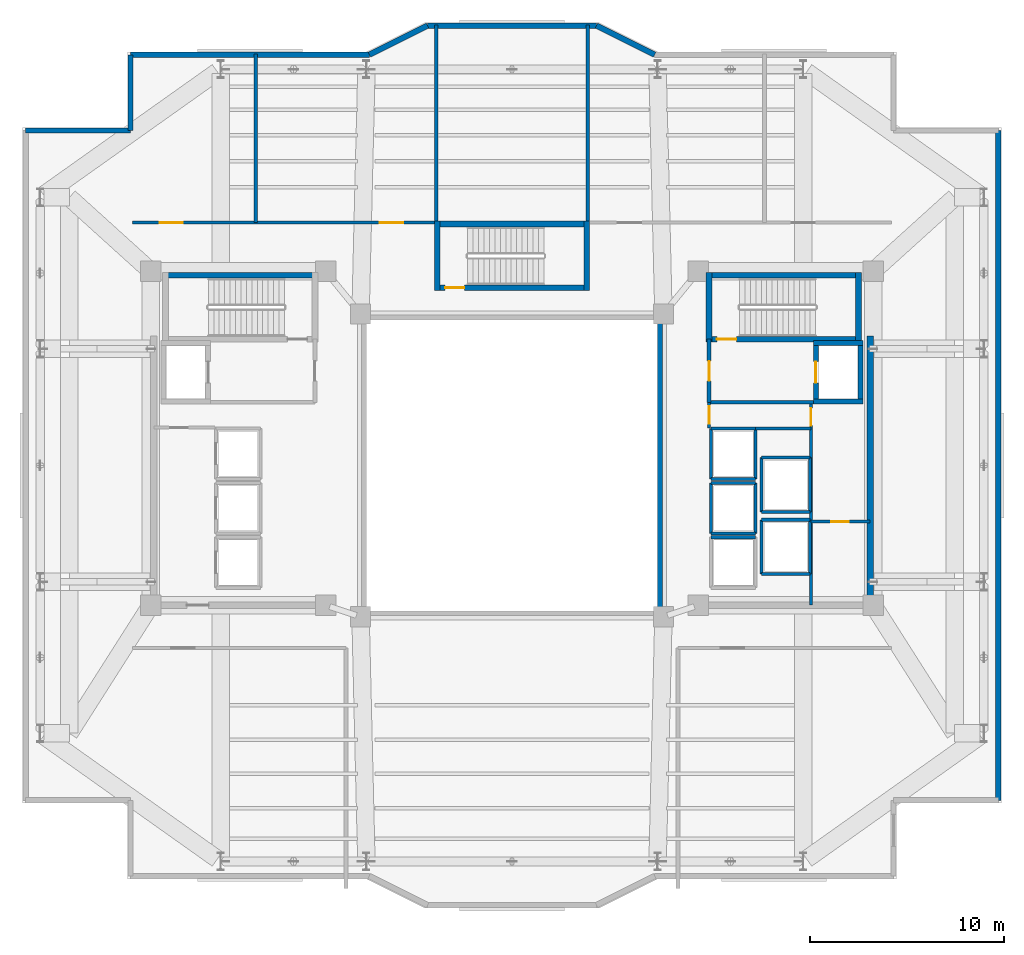
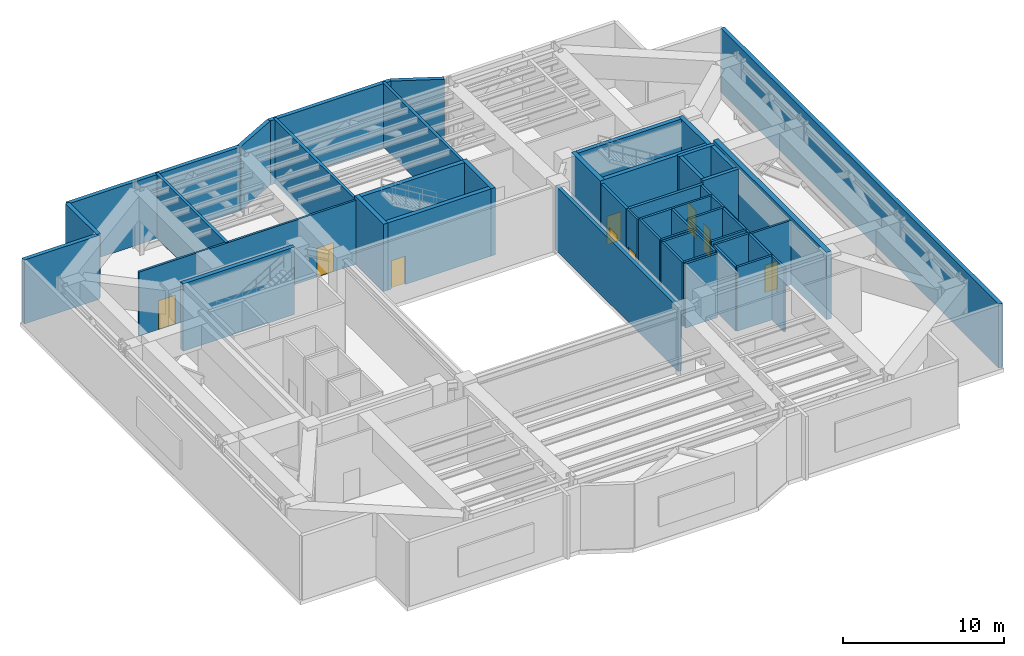
# One storey, part 9 of 13: 49 walls, 9 doors, 9 openings.
"""IFC4 building model written with IfcOpenShell, lengths in metres."""

import ifcopenshell
import ifcopenshell.guid

model = None  # the IFC model being written
_history = None  # IfcOwnerHistory: only IFC2X3 demands one
_inside = {}  # id of a spatial element -> (the spatial element, [elements in it])
_under = {}  # id of a project, library or spatial element -> (it, [spatial elements below it])
_declared = {}  # id of a project -> (the project, [libraries it declares])
_typed = {}  # id of a type object -> (the type object, [elements of that type])
_made_of = {}  # id of a material, layer set ... -> (it, [elements and type objects made of it])


def new_model(schema):
    """Start an empty IFC model of exactly this schema.

    Asked for "IFC4X3", IfcOpenShell would pick the latest addendum, in which some entities
    have other attributes; the version numbers below select the first issue.
    IFC2X3 requires an IfcOwnerHistory on every rooted entity: one is made here for all.
    """
    global model, _history
    if schema == "IFC4X3":
        model = ifcopenshell.file(schema_version=(4, 3, 0, 0))
    else:
        model = ifcopenshell.file(schema=schema)
    _inside.clear()
    _under.clear()
    _declared.clear()
    _typed.clear()
    _made_of.clear()
    _history = None
    if model.schema == "IFC2X3":
        org = make("IfcOrganization", Name="unknown")
        user = make(
            "IfcPersonAndOrganization",
            ThePerson=make("IfcPerson", FamilyName="unknown"),
            TheOrganization=org,
        )
        app = make(
            "IfcApplication",
            ApplicationDeveloper=org,
            Version="unknown",
            ApplicationFullName="unknown",
            ApplicationIdentifier="unknown",
        )
        _history = make(
            "IfcOwnerHistory",
            OwningUser=user,
            OwningApplication=app,
            ChangeAction="ADDED",
            CreationDate=0,
        )
    return model


def make(cls, **values):
    """One entity of the class cls with the attributes given. An attribute that is None is left unset."""
    return model.create_entity(
        cls, **{name: value for name, value in values.items() if value is not None}
    )


def rooted(cls, **values):
    """An entity with a GlobalId (a new one), such as an element, a storey or a relation."""
    return make(cls, GlobalId=ifcopenshell.guid.new(), OwnerHistory=_history, **values)


def si_unit(unit_type, name, prefix=None):
    """IfcSIUnit, for example si_unit("LENGTHUNIT", "METRE", prefix="MILLI")."""
    return make("IfcSIUnit", UnitType=unit_type, Prefix=prefix, Name=name)


def assignment(units):
    """IfcUnitAssignment: the units of a project."""
    return None if units is None else make("IfcUnitAssignment", Units=units)


def point(xyz):
    """IfcCartesianPoint."""
    return None if xyz is None else make("IfcCartesianPoint", Coordinates=xyz)


def direction(xyz):
    """IfcDirection."""
    return None if xyz is None else make("IfcDirection", DirectionRatios=xyz)


def frame(location, z_axis=None, x_axis=None):
    """IfcAxis2Placement3D, a coordinate frame: its origin and axes. An axis left out is left unset."""
    return make(
        "IfcAxis2Placement3D",
        Location=point(location),
        Axis=direction(z_axis),
        RefDirection=direction(x_axis),
    )


def frame_2d(location, x_axis=None):
    """IfcAxis2Placement2D, a coordinate frame in the plane: its origin and x axis."""
    return make(
        "IfcAxis2Placement2D", Location=point(location), RefDirection=direction(x_axis)
    )


def origin():
    """The frame at (0, 0, 0) with its axes left unset."""
    return frame((0.0, 0.0, 0.0))


def place(relative_to, where):
    """IfcLocalPlacement: puts the frame where relative to a parent placement (None: the world)."""
    return make(
        "IfcLocalPlacement", PlacementRelTo=relative_to, RelativePlacement=where
    )


def context(
    kind, dimensions, precision=None, world=None, true_north=None, identifier=None
):
    """IfcGeometricRepresentationContext, for example the 3D "Model" context."""
    return make(
        "IfcGeometricRepresentationContext",
        ContextIdentifier=identifier,
        ContextType=kind,
        CoordinateSpaceDimension=dimensions,
        Precision=precision,
        WorldCoordinateSystem=world,
        TrueNorth=true_north,
    )


def subcontext(parent, identifier, kind, view, scale=None):
    """IfcGeometricRepresentationSubContext, for example "Body" below "Model"."""
    return make(
        "IfcGeometricRepresentationSubContext",
        ContextIdentifier=identifier,
        ContextType=kind,
        ParentContext=parent,
        TargetScale=scale,
        TargetView=view,
    )


def project(units=None, contexts=None):
    """IfcProject with its units and contexts."""
    return rooted(
        "IfcProject",
        Name="project",
        RepresentationContexts=contexts,
        UnitsInContext=assignment(units),
    )


def spatial(cls, under=None, at=None, **own):
    """A site, building, storey or space (cls), placed at a placement, below another one or the project."""
    s = rooted(cls, ObjectPlacement=at, **own)
    if under is not None:
        _under.setdefault(under.id(), (under, []))[1].append(s)
    return s


def profile(cls, at=None, kind="AREA", **sizes):
    """A parametric profile (cls). Its sizes go by their IFC names, for example OverallWidth=200.0."""
    return make(cls, ProfileType=kind, Position=at, **sizes)


def rectangle(**sizes):
    """IfcRectangleProfileDef."""
    return profile("IfcRectangleProfileDef", **sizes)


def extrude(swept, where, along, depth):
    """IfcExtrudedAreaSolid: the profile swept, set in the frame where, extruded along a direction by depth."""
    return make(
        "IfcExtrudedAreaSolid",
        SweptArea=swept,
        Position=where,
        ExtrudedDirection=direction(along),
        Depth=depth,
    )


def shape(context_of_items, identifier, shape_type, items):
    """IfcShapeRepresentation: the items that make up one representation, for example the "Body"."""
    return make(
        "IfcShapeRepresentation",
        ContextOfItems=context_of_items,
        RepresentationIdentifier=identifier,
        RepresentationType=shape_type,
        Items=items,
    )


def material(Name=None, Category=None):
    """IfcMaterial."""
    return make("IfcMaterial", Name=Name, Category=Category)


def layer(
    of_material, thickness, ventilated=None, Name=None, Category=None, Priority=None
):
    """IfcMaterialLayer: one layer of a wall or slab, of a material (None: an air gap)."""
    return make(
        "IfcMaterialLayer",
        Material=of_material,
        LayerThickness=thickness,
        IsVentilated=ventilated,
        Name=Name,
        Category=Category,
        Priority=Priority,
    )


def layer_set(layers, Name=None):
    """IfcMaterialLayerSet."""
    return make("IfcMaterialLayerSet", MaterialLayers=layers, LayerSetName=Name)


def made_of(thing, what):
    """Note that an element or type object is made of a material, layer set ...; save() writes the relation."""
    if what is not None:
        _made_of.setdefault(what.id(), (what, []))[1].append(thing)
    return thing


def type_object(cls, material=None, **own):
    """A type object (cls), such as IfcWallType, which elements share."""
    return made_of(rooted(cls, **own), material)


def element(
    cls,
    number,
    at=None,
    inside=None,
    cuts=None,
    type_object=None,
    material=None,
    context=None,
    identifier="Body",
    shape_type=None,
    held_by="IfcProductDefinitionShape",
    body=None,
    shapes=None,
    **own,
):
    """One element of the class cls, such as IfcWall. Its Tag is "e" and its number.

    at: its placement. inside: the storey or other place that contains it. cuts: it is an
    opening in that element (IfcRelVoidsElement). A single representation is given by context,
    identifier, shape_type and body (its items); several are given by shapes. held_by: the class
    of the entity that holds the representations. save() writes the other relations.
    """
    e = rooted(cls, Tag="e%d" % number, ObjectPlacement=at, **own)
    if body is not None:
        shapes = [shape(context, identifier, shape_type, body)]
    if shapes is not None:
        e.Representation = make(held_by, Representations=shapes)
    if inside is not None:
        _inside.setdefault(inside.id(), (inside, []))[1].append(e)
    if cuts is not None:
        rooted(
            "IfcRelVoidsElement", RelatingBuildingElement=cuts, RelatedOpeningElement=e
        )
    if type_object is not None:
        _typed.setdefault(type_object.id(), (type_object, []))[1].append(e)
    return made_of(e, material)


def fill(opening, filler):
    """IfcRelFillsElement: the door or window that sits in an opening."""
    return rooted(
        "IfcRelFillsElement",
        RelatingOpeningElement=opening,
        RelatedBuildingElement=filler,
    )


def aggregate(whole, parts):
    """IfcRelAggregates: a whole, such as a stair, and the parts it consists of."""
    return rooted("IfcRelAggregates", RelatingObject=whole, RelatedObjects=parts)


def save(model, path):
    """Write the relations noted so far, then the file.

    IfcRelAggregates (storeys below a building ...), IfcRelContainedInSpatialStructure (elements
    in a storey), IfcRelDefinesByType, IfcRelAssociatesMaterial and IfcRelDeclares: one each for
    every whole, place, type object, material and project.
    """
    for whole, parts in _under.values():
        aggregate(whole, parts)
    for where, things in _inside.values():
        rooted(
            "IfcRelContainedInSpatialStructure",
            RelatedElements=things,
            RelatingStructure=where,
        )
    for kind, things in _typed.values():
        rooted("IfcRelDefinesByType", RelatedObjects=things, RelatingType=kind)
    for what, things in _made_of.values():
        rooted("IfcRelAssociatesMaterial", RelatedObjects=things, RelatingMaterial=what)
    for by, libraries in _declared.values():
        rooted("IfcRelDeclares", RelatingContext=by, RelatedDefinitions=libraries)
    model.write(path)


model = new_model("IFC4")

# Units and contexts
model_context = context("Model", 3, precision=1e-05, world=origin(), true_north=direction((0.0, 1.0)))
body_context = subcontext(model_context, "Body", "Model", "MODEL_VIEW")
ifc_project = project(units=[si_unit("LENGTHUNIT", "METRE"), si_unit("AREAUNIT", "SQUARE_METRE"), si_unit("VOLUMEUNIT", "CUBIC_METRE"), si_unit("PLANEANGLEUNIT", "RADIAN"), si_unit("MASSUNIT", "GRAM", prefix="KILO")], contexts=[model_context])

# Site, building, storey
site_placement = place(None, origin())
site = spatial("IfcSite", under=ifc_project, at=site_placement, CompositionType="ELEMENT")
building_placement = place(site_placement, origin())
building = spatial("IfcBuilding", under=site, at=building_placement, Name="Tarnavaz Court Tower", CompositionType="ELEMENT")
storey_placement = place(building_placement, frame((0.0, 0.0, 181.800048828125)))
storey = spatial("IfcBuildingStorey", under=building, at=storey_placement, Name="L49", CompositionType="ELEMENT", Elevation=181.800048828125)

# Wall, opening, door
ifc_material_1 = material(Name="Concrete C50/60", Category="concrete")
ifc_layer_1 = layer(ifc_material_1, 0.25)
ifc_layer_set_1 = layer_set([ifc_layer_1], Name="Concrete C50/60")
wall_type_1 = type_object("IfcWallType", Name="WL-CORE-250-C50", PredefinedType="SHEAR", material=ifc_layer_set_1)
wall_1_placement = place(storey_placement, frame((15.64990234375, 3.175048828125, 0.0), z_axis=(0.0, 0.0, 1.0), x_axis=(0.0, 1.0, 0.0)))
wall_1 = element("IfcWall", 1, at=wall_1_placement, inside=storey, type_object=wall_type_1, Name="L49 Lift FL-E1 Shaft Wall 033", PredefinedType="SHEAR", context=body_context, shape_type="SweptSolid", body=[
    extrude(rectangle(XDim=3.25, YDim=0.25, at=frame_2d((1.625, 0.0))), origin(), (0.0, 0.0, 1.0), 5.099853515625),
])
opening_1_placement = place(wall_1_placement, frame((1.074951171875, 0.0, 0.0)))
opening_1 = element("IfcOpeningElement", 2, at=opening_1_placement, cuts=wall_1, Name="Opening LD1", PredefinedType="OPENING", context=body_context, shape_type="SweptSolid", body=[
    extrude(rectangle(XDim=1.10009765625, YDim=2.14990234375, at=frame_2d((0.550048828125, 1.074951171875))), frame((0.0, 0.135009765625, 0.0), z_axis=(0.0, -1.0, 0.0), x_axis=(1.0, 0.0, 0.0)), (0.0, 0.0, 1.0), 0.27001953125),
])
ifc_material_2 = material(Name="Stainless Steel", Category="steel")
door_type_1 = type_object("IfcDoorType", Name="DR-LD-1100", OperationType="NOTDEFINED", PredefinedType="DOOR", material=ifc_material_2)
door_1_placement = place(opening_1_placement, origin())
door_1 = element("IfcDoor", 3, at=door_1_placement, inside=storey, type_object=door_type_1, Name="L49 Lift Landing Door LD-FL-E1", OperationType="SLIDING_TO_LEFT", OverallHeight=2.14990234375, OverallWidth=1.10009765625, PredefinedType="DOOR", context=body_context, shape_type="SweptSolid", body=[
    extrude(rectangle(XDim=1.10009765625, YDim=2.14990234375, at=frame_2d((0.550048828125, 1.074951171875))), frame((0.0, 0.02490234375, 0.0), z_axis=(0.0, -1.0, 0.0), x_axis=(1.0, 0.0, 0.0)), (0.0, 0.0, 1.0), 0.050048828125),
])
fill(opening_1, door_1)

# Walls
wall_2_placement = place(storey_placement, frame((17.949951171875, 3.175048828125, 0.0), z_axis=(0.0, 0.0, 1.0), x_axis=(0.0, 1.0, 0.0)))
element("IfcWall", 4, at=wall_2_placement, inside=storey, type_object=wall_type_1, Name="L49 Lift FL-E1 Shaft Wall 034", PredefinedType="SHEAR", context=body_context, shape_type="SweptSolid", body=[
    extrude(rectangle(XDim=3.25, YDim=0.25, at=frame_2d((1.625, 0.0))), origin(), (0.0, 0.0, 1.0), 5.099853515625),
])
for number, where, z_axis, x_axis, name in (
    (5, (15.52490234375, 3.300048828125, 0.0), (0.0, 0.0, 1.0), (1.0, 0.0, 0.0), "L49 Lift FL-E1 Shaft Wall 035"),
    (6, (15.52490234375, 6.300048828125, 0.0), (0.0, 0.0, 1.0), (1.0, 0.0, 0.0), "L49 Lift FL-E1 Shaft Wall 036"),
):
    element("IfcWall", number, at=place(storey_placement, frame(where, z_axis=z_axis, x_axis=x_axis)), inside=storey, type_object=wall_type_1, Name=name, PredefinedType="SHEAR", context=body_context, shape_type="SweptSolid", body=[
        extrude(rectangle(XDim=2.550048828125, YDim=0.25, at=frame_2d((1.27490234375, 0.0))), origin(), (0.0, 0.0, 1.0), 5.099853515625),
    ])
ifc_layer_2 = layer(ifc_material_1, 0.300048828125)
ifc_layer_set_2 = layer_set([ifc_layer_2], Name="Concrete C50/60")
wall_type_2 = type_object("IfcWallType", Name="WL-CORE-300-C50", PredefinedType="SHEAR", material=ifc_layer_set_2)
for number, where, z_axis, x_axis, name in (
    (7, (-18.0, 9.7900390625, 0.0), (0.0, 0.0, 1.0), (1.0, 0.0, 0.0), "L49 West Stair Core Wall 001"),
    (8, (10.0, 9.7900390625, 0.0), (0.0, 0.0, 1.0), (1.0, 0.0, 0.0), "L49 East Stair Core Wall 005"),
):
    element("IfcWall", number, at=place(storey_placement, frame(where, z_axis=z_axis, x_axis=x_axis)), inside=storey, type_object=wall_type_2, Name=name, PredefinedType="SHEAR", context=body_context, shape_type="SweptSolid", body=[
        extrude(rectangle(XDim=8.0, YDim=0.300048828125, at=frame_2d((4.0, 0.0))), origin(), (0.0, 0.0, 1.0), 5.099853515625),
    ])

# Wall, opening, door
wall_3_placement = place(storey_placement, frame((10.0, 6.5, 0.0), z_axis=(0.0, 0.0, 1.0), x_axis=(1.0, 0.0, 0.0)))
wall_3 = element("IfcWall", 9, at=wall_3_placement, inside=storey, type_object=wall_type_2, Name="L49 East Stair Core Wall 006", PredefinedType="SHEAR", context=body_context, shape_type="SweptSolid", body=[
    extrude(rectangle(XDim=8.0, YDim=0.300048828125, at=frame_2d((4.0, 0.0))), origin(), (0.0, 0.0, 1.0), 5.099853515625),
])
opening_2_placement = place(wall_3_placement, frame((0.550048828125, 0.0, 0.0)))
opening_2 = element("IfcOpeningElement", 10, at=opening_2_placement, cuts=wall_3, Name="Opening D01", PredefinedType="OPENING", context=body_context, shape_type="SweptSolid", body=[
    extrude(rectangle(XDim=1.0, YDim=2.14990234375, at=frame_2d((0.5, 1.074951171875))), frame((0.0, 0.159912109375, 0.0), z_axis=(0.0, -1.0, 0.0), x_axis=(1.0, 0.0, 0.0)), (0.0, 0.0, 1.0), 0.320068359375),
])
ifc_material_3 = material(Name="Fire-Rated Hardwood Timber Core", Category="wood")
door_type_2 = type_object("IfcDoorType", Name="DR-FD90-1000", OperationType="NOTDEFINED", PredefinedType="DOOR", material=ifc_material_3)
door_2_placement = place(opening_2_placement, origin())
door_2 = element("IfcDoor", 11, at=door_2_placement, inside=storey, type_object=door_type_2, Name="L49 Stair ST-E1 Exit Door", OperationType="SINGLE_SWING_RIGHT", OverallHeight=2.14990234375, OverallWidth=1.0, PredefinedType="DOOR", context=body_context, shape_type="SweptSolid", body=[
    extrude(rectangle(XDim=1.0, YDim=2.14990234375, at=frame_2d((0.5, 1.074951171875))), frame((0.0, 0.02490234375, 0.0), z_axis=(0.0, -1.0, 0.0), x_axis=(1.0, 0.0, 0.0)), (0.0, 0.0, 1.0), 0.050048828125),
])
fill(opening_2, door_2)

# Walls
for number, where, z_axis, x_axis, name in (
    (12, (10.14990234375, 6.35009765625, 0.0), (0.0, 0.0, 1.0), (0.0, 1.0, 0.0), "L49 East Stair Core Wall 007"),
    (13, (17.85009765625, 6.35009765625, 0.0), (0.0, 0.0, 1.0), (0.0, 1.0, 0.0), "L49 East Stair Core Wall 008"),
):
    element("IfcWall", number, at=place(storey_placement, frame(where, z_axis=z_axis, x_axis=x_axis)), inside=storey, type_object=wall_type_2, Name=name, PredefinedType="SHEAR", context=body_context, shape_type="SweptSolid", body=[
        extrude(rectangle(XDim=3.58984375, YDim=0.300048828125, at=frame_2d((1.794921875, 0.0))), origin(), (0.0, 0.0, 1.0), 5.099853515625),
    ])
wall_4_placement = place(storey_placement, frame((-4.0, 12.43994140625, 0.0), z_axis=(0.0, 0.0, 1.0), x_axis=(1.0, 0.0, 0.0)))
element("IfcWall", 14, at=wall_4_placement, inside=storey, type_object=wall_type_2, Name="L49 North Stair Core Wall 009", PredefinedType="SHEAR", context=body_context, shape_type="SweptSolid", body=[
    extrude(rectangle(XDim=8.0, YDim=0.300048828125, at=frame_2d((4.0, 0.0))), origin(), (0.0, 0.0, 1.0), 5.099853515625),
])

# Wall, opening, door
wall_5_placement = place(storey_placement, frame((-4.0, 9.14990234375, 0.0), z_axis=(0.0, 0.0, 1.0), x_axis=(1.0, 0.0, 0.0)))
wall_5 = element("IfcWall", 15, at=wall_5_placement, inside=storey, type_object=wall_type_2, Name="L49 North Stair Core Wall 010", PredefinedType="SHEAR", context=body_context, shape_type="SweptSolid", body=[
    extrude(rectangle(XDim=8.0, YDim=0.300048828125, at=frame_2d((4.0, 0.0))), origin(), (0.0, 0.0, 1.0), 5.099853515625),
])
opening_3_placement = place(wall_5_placement, frame((0.550048828125, 0.0, 0.0)))
opening_3 = element("IfcOpeningElement", 16, at=opening_3_placement, cuts=wall_5, Name="Opening D01", PredefinedType="OPENING", context=body_context, shape_type="SweptSolid", body=[
    extrude(rectangle(XDim=1.0, YDim=2.14990234375, at=frame_2d((0.5, 1.074951171875))), frame((0.0, 0.159912109375, 0.0), z_axis=(0.0, -1.0, 0.0), x_axis=(1.0, 0.0, 0.0)), (0.0, 0.0, 1.0), 0.320068359375),
])
door_3_placement = place(opening_3_placement, origin())
door_3 = element("IfcDoor", 17, at=door_3_placement, inside=storey, type_object=door_type_2, Name="L49 Stair ST-N1 Exit Door", OperationType="SINGLE_SWING_LEFT", OverallHeight=2.14990234375, OverallWidth=1.0, PredefinedType="DOOR", context=body_context, shape_type="SweptSolid", body=[
    extrude(rectangle(XDim=1.0, YDim=2.14990234375, at=frame_2d((0.5, 1.074951171875))), frame((0.0, 0.02490234375, 0.0), z_axis=(0.0, -1.0, 0.0), x_axis=(1.0, 0.0, 0.0)), (0.0, 0.0, 1.0), 0.050048828125),
])
fill(opening_3, door_3)

# Walls
for number, where, z_axis, x_axis, name in (
    (18, (-3.85009765625, 9.0, 0.0), (0.0, 0.0, 1.0), (0.0, 1.0, 0.0), "L49 North Stair Core Wall 011"),
    (19, (3.85009765625, 9.0, 0.0), (0.0, 0.0, 1.0), (0.0, 1.0, 0.0), "L49 North Stair Core Wall 012"),
):
    element("IfcWall", number, at=place(storey_placement, frame(where, z_axis=z_axis, x_axis=x_axis)), inside=storey, type_object=wall_type_2, Name=name, PredefinedType="SHEAR", context=body_context, shape_type="SweptSolid", body=[
        extrude(rectangle(XDim=3.590087890625, YDim=0.300048828125, at=frame_2d((1.794921875, 0.0))), origin(), (0.0, 0.0, 1.0), 5.099853515625),
    ])
ifc_layer_3 = layer(ifc_material_1, 0.35009765625)
ifc_layer_set_3 = layer_set([ifc_layer_3], Name="Concrete C50/60")
wall_type_3 = type_object("IfcWallType", Name="WL-CORE-350-C50", PredefinedType="SHEAR", material=ifc_layer_set_3)
wall_6_placement = place(storey_placement, frame((18.449951171875, -7.375, 0.0), z_axis=(0.0, 0.0, 1.0), x_axis=(0.0, 1.0, 0.0)))
element("IfcWall", 20, at=wall_6_placement, inside=storey, type_object=wall_type_3, Name="L49 East Core Shear Wall 059", PredefinedType="SHEAR", context=body_context, shape_type="SweptSolid", body=[
    extrude(rectangle(XDim=14.050048828125, YDim=0.35009765625, at=frame_2d((7.02490234375, 0.0))), origin(), (0.0, 0.0, 1.0), 5.099853515625),
])
ifc_material_4 = material(Name="Precast Concrete C40/50", Category="concrete")
ifc_layer_4 = layer(ifc_material_4, 0.280029296875)
ifc_layer_set_4 = layer_set([ifc_layer_4], Name="Precast Concrete C40/50")
wall_type_4 = type_object("IfcWallType", Name="WL-EXT-280", PredefinedType="SOLIDWALL", material=ifc_layer_set_4)
wall_7_placement = place(storey_placement, frame((-25.050048828125, 17.25, 0.0), z_axis=(0.0, 0.0, 1.0), x_axis=(1.0, 0.0, 0.0)))
element("IfcWall", 21, at=wall_7_placement, inside=storey, type_object=wall_type_4, Name="L49 Exterior Terracotta Facade Wall 03", PredefinedType="SOLIDWALL", context=body_context, shape_type="SweptSolid", body=[
    extrude(rectangle(XDim=5.400146484375, YDim=0.280029296875, at=frame_2d((2.7001953125, 0.0))), origin(), (0.0, 0.0, 1.0), 4.849853515625),
])
wall_8_placement = place(storey_placement, frame((-19.64990234375, 17.25, 0.0), z_axis=(0.0, 0.0, 1.0), x_axis=(0.0, 1.0, 0.0)))
element("IfcWall", 22, at=wall_8_placement, inside=storey, type_object=wall_type_4, Name="L49 Exterior Terracotta Facade Wall 04", PredefinedType="SOLIDWALL", context=body_context, shape_type="SweptSolid", body=[
    extrude(rectangle(XDim=3.89990234375, YDim=0.280029296875, at=frame_2d((1.949951171875, 0.0))), origin(), (0.0, 0.0, 1.0), 4.849853515625),
])
wall_9_placement = place(storey_placement, frame((-19.64990234375, 21.14990234375, 0.0), z_axis=(0.0, 0.0, 1.0), x_axis=(1.0, 0.0, 0.0)))
element("IfcWall", 23, at=wall_9_placement, inside=storey, type_object=wall_type_4, Name="L49 Exterior Terracotta Facade Wall 05", PredefinedType="SOLIDWALL", context=body_context, shape_type="SweptSolid", body=[
    extrude(rectangle(XDim=12.2998046875, YDim=0.280029296875, at=frame_2d((6.14990234375, 0.0))), origin(), (0.0, 0.0, 1.0), 4.849853515625),
])
wall_10_placement = place(storey_placement, frame((-7.35009765625, 21.14990234375, 0.0), z_axis=(0.0, 0.0, 1.0), x_axis=(0.894427191, 0.4472135955, 0.0)))
element("IfcWall", 24, at=wall_10_placement, inside=storey, type_object=wall_type_4, Name="L49 Exterior Terracotta Facade Wall 06", PredefinedType="SOLIDWALL", context=body_context, shape_type="SweptSolid", body=[
    extrude(rectangle(XDim=3.35400390625, YDim=0.280029296875, at=frame_2d((1.677001953125, 0.0))), origin(), (0.0, 0.0, 1.0), 4.849853515625),
])
wall_11_placement = place(storey_placement, frame((-4.35009765625, 22.64990234375, 0.0), z_axis=(0.0, 0.0, 1.0), x_axis=(1.0, 0.0, 0.0)))
element("IfcWall", 25, at=wall_11_placement, inside=storey, type_object=wall_type_4, Name="L49 Exterior Terracotta Facade Wall 07", PredefinedType="SOLIDWALL", context=body_context, shape_type="SweptSolid", body=[
    extrude(rectangle(XDim=8.7001953125, YDim=0.280029296875, at=frame_2d((4.35009765625, 0.0))), origin(), (0.0, 0.0, 1.0), 4.849853515625),
])
wall_12_placement = place(storey_placement, frame((4.35009765625, 22.64990234375, 0.0), z_axis=(0.0, 0.0, 1.0), x_axis=(0.894427191, -0.4472135955, 0.0)))
element("IfcWall", 26, at=wall_12_placement, inside=storey, type_object=wall_type_4, Name="L49 Exterior Terracotta Facade Wall 08", PredefinedType="SOLIDWALL", context=body_context, shape_type="SweptSolid", body=[
    extrude(rectangle(XDim=3.35400390625, YDim=0.280029296875, at=frame_2d((1.677001953125, 0.0))), origin(), (0.0, 0.0, 1.0), 4.849853515625),
])
wall_13_placement = place(storey_placement, frame((25.050048828125, 17.25, 0.0), z_axis=(0.0, 0.0, 1.0), x_axis=(0.0, -1.0, 0.0)))
element("IfcWall", 27, at=wall_13_placement, inside=storey, type_object=wall_type_4, Name="L49 Exterior Terracotta Facade Wall 12", PredefinedType="SOLIDWALL", context=body_context, shape_type="SweptSolid", body=[
    extrude(rectangle(XDim=34.5, YDim=0.280029296875, at=frame_2d((17.25, 0.0))), origin(), (0.0, 0.0, 1.0), 4.849853515625),
])

# Wall, openings, doors
ifc_material_5 = material(Name="Gypsum Fire-Board on Acoustic Metal Stud", Category="masonry")
ifc_layer_5 = layer(ifc_material_5, 0.14990234375)
ifc_layer_set_5 = layer_set([ifc_layer_5], Name="Gypsum Fire-Board on Acoustic Metal Stud")
wall_type_5 = type_object("IfcWallType", Name="WL-FIRE-150", PredefinedType="PARTITIONING", material=ifc_layer_set_5)
wall_14_placement = place(storey_placement, frame((-19.550048828125, 12.5, 0.0), z_axis=(0.0, 0.0, 1.0), x_axis=(1.0, 0.0, 0.0)))
wall_14 = element("IfcWall", 28, at=wall_14_placement, inside=storey, type_object=wall_type_5, Name="L49 NW Wing Corridor Wall 066", PredefinedType="PARTITIONING", context=body_context, shape_type="SweptSolid", body=[
    extrude(rectangle(XDim=15.699951171875, YDim=0.14990234375, at=frame_2d((7.85009765625, 0.0))), origin(), (0.0, 0.0, 1.0), 4.849853515625),
])
opening_4_placement = place(wall_14_placement, frame((1.39990234375, 0.0, 0.0)))
opening_4 = element("IfcOpeningElement", 29, at=opening_4_placement, cuts=wall_14, Name="Opening D03", PredefinedType="OPENING", context=body_context, shape_type="SweptSolid", body=[
    extrude(rectangle(XDim=1.199951171875, YDim=2.199951171875, at=frame_2d((0.60009765625, 1.10009765625))), frame((0.0, 0.0849609375, 0.0), z_axis=(0.0, -1.0, 0.0), x_axis=(1.0, 0.0, 0.0)), (0.0, 0.0, 1.0), 0.169921875),
])
opening_5_placement = place(wall_14_placement, frame((12.75, 0.0, 0.0)))
opening_5 = element("IfcOpeningElement", 30, at=opening_5_placement, cuts=wall_14, Name="Opening D03", PredefinedType="OPENING", context=body_context, shape_type="SweptSolid", body=[
    extrude(rectangle(XDim=1.199951171875, YDim=2.199951171875, at=frame_2d((0.60009765625, 1.10009765625))), frame((0.0, 0.0849609375, 0.0), z_axis=(0.0, -1.0, 0.0), x_axis=(1.0, 0.0, 0.0)), (0.0, 0.0, 1.0), 0.169921875),
])
door_type_3 = type_object("IfcDoorType", Name="DR-FD90-1200", OperationType="NOTDEFINED", PredefinedType="DOOR", material=ifc_material_3)
door_4_placement = place(opening_4_placement, origin())
door_4 = element("IfcDoor", 31, at=door_4_placement, inside=storey, type_object=door_type_3, Name="L49 Chilled Water Plant Door", OperationType="SINGLE_SWING_RIGHT", OverallHeight=2.199951171875, OverallWidth=1.199951171875, PredefinedType="DOOR", context=body_context, shape_type="SweptSolid", body=[
    extrude(rectangle(XDim=1.199951171875, YDim=2.199951171875, at=frame_2d((0.60009765625, 1.10009765625))), frame((0.0, 0.02490234375, 0.0), z_axis=(0.0, -1.0, 0.0), x_axis=(1.0, 0.0, 0.0)), (0.0, 0.0, 1.0), 0.050048828125),
])
fill(opening_4, door_4)
door_5_placement = place(opening_5_placement, origin())
door_5 = element("IfcDoor", 32, at=door_5_placement, inside=storey, type_object=door_type_3, Name="L49 North Refuge Area Door", OperationType="SINGLE_SWING_LEFT", OverallHeight=2.199951171875, OverallWidth=1.199951171875, PredefinedType="DOOR", context=body_context, shape_type="SweptSolid", body=[
    extrude(rectangle(XDim=1.199951171875, YDim=2.199951171875, at=frame_2d((0.60009765625, 1.10009765625))), frame((0.0, 0.02490234375, 0.0), z_axis=(0.0, -1.0, 0.0), x_axis=(1.0, 0.0, 0.0)), (0.0, 0.0, 1.0), 0.050048828125),
])
fill(opening_5, door_5)

# Wall
ifc_material_6 = material(Name="Autoclaved Aerated Concrete Blockwork", Category="masonry")
ifc_layer_6 = layer(ifc_material_6, 0.199951171875)
ifc_layer_set_6 = layer_set([ifc_layer_6], Name="Autoclaved Aerated Concrete Blockwork")
wall_type_6 = type_object("IfcWallType", Name="WL-FIRE-200", PredefinedType="SOLIDWALL", material=ifc_layer_set_6)
wall_15_placement = place(storey_placement, frame((10.14990234375, 3.25, 0.0), z_axis=(0.0, 0.0, 1.0), x_axis=(1.0, 0.0, 0.0)))
element("IfcWall", 33, at=wall_15_placement, inside=storey, type_object=wall_type_6, Name="L49 East Firefighting Lobby Wall 015", PredefinedType="SOLIDWALL", context=body_context, shape_type="SweptSolid", body=[
    extrude(rectangle(XDim=5.400146484375, YDim=0.199951171875, at=frame_2d((2.7001953125, 0.0))), origin(), (0.0, 0.0, 1.0), 4.849853515625),
])

# Wall, opening, door
wall_16_placement = place(storey_placement, frame((10.14990234375, 3.25, 0.0), z_axis=(0.0, 0.0, 1.0), x_axis=(0.0, 1.0, 0.0)))
wall_16 = element("IfcWall", 34, at=wall_16_placement, inside=storey, type_object=wall_type_6, Name="L49 East Firefighting Lobby Wall 016", PredefinedType="SOLIDWALL", context=body_context, shape_type="SweptSolid", body=[
    extrude(rectangle(XDim=3.25, YDim=0.199951171875, at=frame_2d((1.625, 0.0))), origin(), (0.0, 0.0, 1.0), 4.849853515625),
])
opening_6_placement = place(wall_16_placement, frame((1.10009765625, 0.0, 0.0)))
opening_6 = element("IfcOpeningElement", 35, at=opening_6_placement, cuts=wall_16, Name="Opening D05", PredefinedType="OPENING", context=body_context, shape_type="SweptSolid", body=[
    extrude(rectangle(XDim=1.02001953125, YDim=2.14990234375, at=frame_2d((0.510009765625, 1.074951171875))), frame((0.0, 0.10986328125, 0.0), z_axis=(0.0, -1.0, 0.0), x_axis=(1.0, 0.0, 0.0)), (0.0, 0.0, 1.0), 0.219970703125),
])
door_type_4 = type_object("IfcDoorType", Name="DR-FD60-1000", OperationType="NOTDEFINED", PredefinedType="DOOR", material=ifc_material_3)
door_6_placement = place(opening_6_placement, origin())
door_6 = element("IfcDoor", 36, at=door_6_placement, inside=storey, type_object=door_type_4, Name="L49 East Firefighting Lobby Door", OperationType="SINGLE_SWING_LEFT", OverallHeight=2.14990234375, OverallWidth=1.02001953125, PredefinedType="DOOR", context=body_context, shape_type="SweptSolid", body=[
    extrude(rectangle(XDim=1.02001953125, YDim=2.14990234375, at=frame_2d((0.510009765625, 1.074951171875))), frame((0.0, 0.02490234375, 0.0), z_axis=(0.0, -1.0, 0.0), x_axis=(1.0, 0.0, 0.0)), (0.0, 0.0, 1.0), 0.050048828125),
])
fill(opening_6, door_6)

# Walls
for number, where, z_axis, x_axis, name in (
    (37, (-3.89990234375, 12.5, 0.0), (0.0, 0.0, 1.0), (0.0, 1.0, 0.0), "L49 Interior Partition 070"),
    (38, (3.89990234375, 12.5, 0.0), (0.0, 0.0, 1.0), (0.0, 1.0, 0.0), "L49 Interior Partition 071"),
):
    element("IfcWall", number, at=place(storey_placement, frame(where, z_axis=z_axis, x_axis=x_axis)), inside=storey, type_object=wall_type_6, Name=name, PredefinedType="SOLIDWALL", context=body_context, shape_type="SweptSolid", body=[
        extrude(rectangle(XDim=10.179931640625, YDim=0.199951171875, at=frame_2d((5.08984375, 0.0))), origin(), (0.0, 0.0, 1.0), 4.849853515625),
    ])
wall_17_placement = place(storey_placement, frame((-13.199951171875, 12.5, 0.0), z_axis=(0.0, 0.0, 1.0), x_axis=(0.0, 1.0, 0.0)))
element("IfcWall", 39, at=wall_17_placement, inside=storey, type_object=wall_type_6, Name="L49 Interior Partition 072", PredefinedType="SOLIDWALL", context=body_context, shape_type="SweptSolid", body=[
    extrude(rectangle(XDim=8.699951171875, YDim=0.199951171875, at=frame_2d((4.35009765625, 0.0))), origin(), (0.0, 0.0, 1.0), 4.849853515625),
])
ifc_material_7 = material(Name="Gypsum Plasterboard Acoustic Partition", Category="masonry")
ifc_layer_7 = layer(ifc_material_7, 0.139892578125)
ifc_layer_set_7 = layer_set([ifc_layer_7], Name="Gypsum Plasterboard Acoustic Partition")
wall_type_7 = type_object("IfcWallType", Name="WL-PART-150", PredefinedType="PARTITIONING", material=ifc_layer_set_7)
wall_18_placement = place(storey_placement, frame((12.550048828125, 1.89990234375, 0.0), z_axis=(0.0, 0.0, 1.0), x_axis=(1.0, 0.0, 0.0)))
element("IfcWall", 40, at=wall_18_placement, inside=storey, type_object=wall_type_7, Name="L49 Interior Partition 062", PredefinedType="PARTITIONING", context=body_context, shape_type="SweptSolid", body=[
    extrude(rectangle(XDim=2.849853515625, YDim=0.139892578125, at=frame_2d((1.4248046875, 0.0))), origin(), (0.0, 0.0, 1.0), 4.849853515625),
])

# Wall, opening, door
wall_19_placement = place(storey_placement, frame((10.14990234375, 1.919921875, 0.0), z_axis=(0.0, 0.0, 1.0), x_axis=(0.0, 1.0, 0.0)))
wall_19 = element("IfcWall", 41, at=wall_19_placement, inside=storey, type_object=wall_type_7, Name="L49 Interior Partition 063", PredefinedType="PARTITIONING", context=body_context, shape_type="SweptSolid", body=[
    extrude(rectangle(XDim=1.330078125, YDim=0.139892578125, at=frame_2d((0.6650390625, 0.0))), origin(), (0.0, 0.0, 1.0), 4.849853515625),
])
opening_7_placement = place(wall_19_placement, frame((0.219970703125, 0.0, 0.0)))
opening_7 = element("IfcOpeningElement", 42, at=opening_7_placement, cuts=wall_19, Name="Opening D09", PredefinedType="OPENING", context=body_context, shape_type="SweptSolid", body=[
    extrude(rectangle(XDim=0.89990234375, YDim=2.080078125, at=frame_2d((0.449951171875, 1.0400390625))), frame((0.0, 0.079833984375, 0.0), z_axis=(0.0, -1.0, 0.0), x_axis=(1.0, 0.0, 0.0)), (0.0, 0.0, 1.0), 0.159912109375),
])
door_type_5 = type_object("IfcDoorType", Name="DR-FD30-900", OperationType="NOTDEFINED", PredefinedType="DOOR", material=ifc_material_3)
door_7_placement = place(opening_7_placement, origin())
door_7 = element("IfcDoor", 43, at=door_7_placement, inside=storey, type_object=door_type_5, Name="L49 East Core Service Lobby Door", OperationType="SINGLE_SWING_LEFT", OverallHeight=2.080078125, OverallWidth=0.89990234375, PredefinedType="DOOR", context=body_context, shape_type="SweptSolid", body=[
    extrude(rectangle(XDim=0.89990234375, YDim=2.080078125, at=frame_2d((0.449951171875, 1.0400390625))), frame((0.0, 0.02490234375, 0.0), z_axis=(0.0, -1.0, 0.0), x_axis=(1.0, 0.0, 0.0)), (0.0, 0.0, 1.0), 0.050048828125),
])
fill(opening_7, door_7)

wall_20_placement = place(storey_placement, frame((15.39990234375, -7.199951171875, 0.0), z_axis=(0.0, 0.0, 1.0), x_axis=(0.0, 1.0, 0.0)))
wall_20 = element("IfcWall", 44, at=wall_20_placement, inside=storey, type_object=wall_type_7, Name="L49 Interior Partition 064", PredefinedType="PARTITIONING", context=body_context, shape_type="SweptSolid", body=[
    extrude(rectangle(XDim=10.449951171875, YDim=0.139892578125, at=frame_2d((5.22509765625, 0.0))), origin(), (0.0, 0.0, 1.0), 4.849853515625),
])
opening_8_placement = place(wall_20_placement, frame((9.25, 0.0, 0.0)))
opening_8 = element("IfcOpeningElement", 45, at=opening_8_placement, cuts=wall_20, Name="Opening D09", PredefinedType="OPENING", context=body_context, shape_type="SweptSolid", body=[
    extrude(rectangle(XDim=0.89990234375, YDim=2.080078125, at=frame_2d((0.449951171875, 1.0400390625))), frame((0.0, 0.079833984375, 0.0), z_axis=(0.0, -1.0, 0.0), x_axis=(1.0, 0.0, 0.0)), (0.0, 0.0, 1.0), 0.159912109375),
])
door_8_placement = place(opening_8_placement, origin())
door_8 = element("IfcDoor", 46, at=door_8_placement, inside=storey, type_object=door_type_5, Name="L49 East Wet Riser Door", OperationType="SINGLE_SWING_RIGHT", OverallHeight=2.080078125, OverallWidth=0.89990234375, PredefinedType="DOOR", context=body_context, shape_type="SweptSolid", body=[
    extrude(rectangle(XDim=0.89990234375, YDim=2.080078125, at=frame_2d((0.449951171875, 1.0400390625))), frame((0.0, 0.02490234375, 0.0), z_axis=(0.0, -1.0, 0.0), x_axis=(1.0, 0.0, 0.0)), (0.0, 0.0, 1.0), 0.050048828125),
])
fill(opening_8, door_8)

wall_21_placement = place(storey_placement, frame((15.39990234375, -2.889892578125, 0.0), z_axis=(0.0, 0.0, 1.0), x_axis=(1.0, 0.0, 0.0)))
wall_21 = element("IfcWall", 47, at=wall_21_placement, inside=storey, type_object=wall_type_7, Name="L49 Interior Partition 065", PredefinedType="PARTITIONING", context=body_context, shape_type="SweptSolid", body=[
    extrude(rectangle(XDim=3.050048828125, YDim=0.139892578125, at=frame_2d((1.52490234375, 0.0))), origin(), (0.0, 0.0, 1.0), 4.849853515625),
])
opening_9_placement = place(wall_21_placement, frame((1.050048828125, 0.0, 0.0)))
opening_9 = element("IfcOpeningElement", 48, at=opening_9_placement, cuts=wall_21, Name="Opening D09", PredefinedType="OPENING", context=body_context, shape_type="SweptSolid", body=[
    extrude(rectangle(XDim=0.89990234375, YDim=2.080078125, at=frame_2d((0.449951171875, 1.0400390625))), frame((0.0, 0.079833984375, 0.0), z_axis=(0.0, -1.0, 0.0), x_axis=(1.0, 0.0, 0.0)), (0.0, 0.0, 1.0), 0.159912109375),
])
door_9_placement = place(opening_9_placement, origin())
door_9 = element("IfcDoor", 49, at=door_9_placement, inside=storey, type_object=door_type_5, Name="L49 East Electrical Plant Door", OperationType="SINGLE_SWING_LEFT", OverallHeight=2.080078125, OverallWidth=0.89990234375, PredefinedType="DOOR", context=body_context, shape_type="SweptSolid", body=[
    extrude(rectangle(XDim=0.89990234375, YDim=2.080078125, at=frame_2d((0.449951171875, 1.0400390625))), frame((0.0, 0.02490234375, 0.0), z_axis=(0.0, -1.0, 0.0), x_axis=(1.0, 0.0, 0.0)), (0.0, 0.0, 1.0), 0.050048828125),
])
fill(opening_9, door_9)

# Walls
ifc_layer_8 = layer(ifc_material_6, 0.159912109375)
ifc_layer_set_8 = layer_set([ifc_layer_8], Name="Autoclaved Aerated Concrete Blockwork")
wall_type_8 = type_object("IfcWallType", Name="WL-SHAFT-150", PredefinedType="SOLIDWALL", material=ifc_layer_set_8)
wall_22_placement = place(storey_placement, frame((10.25, -3.699951171875, 0.0), z_axis=(0.0, 0.0, 1.0), x_axis=(1.0, 0.0, 0.0)))
element("IfcWall", 50, at=wall_22_placement, inside=storey, type_object=wall_type_8, Name="L49 Lift PL-M1 Shaft Wall 040", PredefinedType="SOLIDWALL", context=body_context, shape_type="SweptSolid", body=[
    extrude(rectangle(XDim=2.300048828125, YDim=0.159912109375, at=frame_2d((1.14990234375, 0.0))), origin(), (0.0, 0.0, 1.0), 4.849853515625),
])
for number, where, z_axis, x_axis, name in (
    (51, (10.25, -3.5, 0.0), (0.0, 0.0, 1.0), (0.0, 1.0, 0.0), "L49 Lift PL-M2 Shaft Wall 041"),
    (52, (12.550048828125, -3.5, 0.0), (0.0, 0.0, 1.0), (0.0, 1.0, 0.0), "L49 Lift PL-M2 Shaft Wall 042"),
):
    element("IfcWall", number, at=place(storey_placement, frame(where, z_axis=z_axis, x_axis=x_axis)), inside=storey, type_object=wall_type_8, Name=name, PredefinedType="SOLIDWALL", context=body_context, shape_type="SweptSolid", body=[
        extrude(rectangle(XDim=2.60009765625, YDim=0.159912109375, at=frame_2d((1.300048828125, 0.0))), origin(), (0.0, 0.0, 1.0), 4.849853515625),
    ])
for number, where, z_axis, x_axis, name in (
    (53, (10.25, -3.5, 0.0), (0.0, 0.0, 1.0), (1.0, 0.0, 0.0), "L49 Lift PL-M2 Shaft Wall 043"),
    (54, (10.25, -0.89990234375, 0.0), (0.0, 0.0, 1.0), (1.0, 0.0, 0.0), "L49 Lift PL-M2 Shaft Wall 044"),
):
    element("IfcWall", number, at=place(storey_placement, frame(where, z_axis=z_axis, x_axis=x_axis)), inside=storey, type_object=wall_type_8, Name=name, PredefinedType="SOLIDWALL", context=body_context, shape_type="SweptSolid", body=[
        extrude(rectangle(XDim=2.300048828125, YDim=0.159912109375, at=frame_2d((1.14990234375, 0.0))), origin(), (0.0, 0.0, 1.0), 4.849853515625),
    ])
for number, where, z_axis, x_axis, name in (
    (55, (10.25, -0.699951171875, 0.0), (0.0, 0.0, 1.0), (0.0, 1.0, 0.0), "L49 Lift PL-M3 Shaft Wall 045"),
    (56, (12.550048828125, -0.699951171875, 0.0), (0.0, 0.0, 1.0), (0.0, 1.0, 0.0), "L49 Lift PL-M3 Shaft Wall 046"),
):
    element("IfcWall", number, at=place(storey_placement, frame(where, z_axis=z_axis, x_axis=x_axis)), inside=storey, type_object=wall_type_8, Name=name, PredefinedType="SOLIDWALL", context=body_context, shape_type="SweptSolid", body=[
        extrude(rectangle(XDim=2.599853515625, YDim=0.159912109375, at=frame_2d((1.2998046875, 0.0))), origin(), (0.0, 0.0, 1.0), 4.849853515625),
    ])
for number, where, z_axis, x_axis, name in (
    (57, (10.25, -0.699951171875, 0.0), (0.0, 0.0, 1.0), (1.0, 0.0, 0.0), "L49 Lift PL-M3 Shaft Wall 047"),
    (58, (10.25, 1.89990234375, 0.0), (0.0, 0.0, 1.0), (1.0, 0.0, 0.0), "L49 Lift PL-M3 Shaft Wall 048"),
):
    element("IfcWall", number, at=place(storey_placement, frame(where, z_axis=z_axis, x_axis=x_axis)), inside=storey, type_object=wall_type_8, Name=name, PredefinedType="SOLIDWALL", context=body_context, shape_type="SweptSolid", body=[
        extrude(rectangle(XDim=2.300048828125, YDim=0.159912109375, at=frame_2d((1.14990234375, 0.0))), origin(), (0.0, 0.0, 1.0), 4.849853515625),
    ])
for number, where, z_axis, x_axis, name in (
    (59, (12.85009765625, -5.60009765625, 0.0), (0.0, 0.0, 1.0), (0.0, 1.0, 0.0), "L49 Lift PL-OB1 Shaft Wall 049"),
    (60, (15.35009765625, -5.60009765625, 0.0), (0.0, 0.0, 1.0), (0.0, 1.0, 0.0), "L49 Lift PL-OB1 Shaft Wall 050"),
):
    element("IfcWall", number, at=place(storey_placement, frame(where, z_axis=z_axis, x_axis=x_axis)), inside=storey, type_object=wall_type_8, Name=name, PredefinedType="SOLIDWALL", context=body_context, shape_type="SweptSolid", body=[
        extrude(rectangle(XDim=2.800048828125, YDim=0.159912109375, at=frame_2d((1.39990234375, 0.0))), origin(), (0.0, 0.0, 1.0), 4.849853515625),
    ])
for number, where, z_axis, x_axis, name in (
    (61, (12.85009765625, -5.60009765625, 0.0), (0.0, 0.0, 1.0), (1.0, 0.0, 0.0), "L49 Lift PL-OB1 Shaft Wall 051"),
    (62, (12.85009765625, -2.800048828125, 0.0), (0.0, 0.0, 1.0), (1.0, 0.0, 0.0), "L49 Lift PL-OB1 Shaft Wall 052"),
):
    element("IfcWall", number, at=place(storey_placement, frame(where, z_axis=z_axis, x_axis=x_axis)), inside=storey, type_object=wall_type_8, Name=name, PredefinedType="SOLIDWALL", context=body_context, shape_type="SweptSolid", body=[
        extrude(rectangle(XDim=2.5, YDim=0.159912109375, at=frame_2d((1.25, 0.0))), origin(), (0.0, 0.0, 1.0), 4.849853515625),
    ])
for number, where, z_axis, x_axis, name in (
    (63, (12.85009765625, -2.39990234375, 0.0), (0.0, 0.0, 1.0), (0.0, 1.0, 0.0), "L49 Lift PL-OB2 Shaft Wall 053"),
    (64, (15.35009765625, -2.39990234375, 0.0), (0.0, 0.0, 1.0), (0.0, 1.0, 0.0), "L49 Lift PL-OB2 Shaft Wall 054"),
):
    element("IfcWall", number, at=place(storey_placement, frame(where, z_axis=z_axis, x_axis=x_axis)), inside=storey, type_object=wall_type_8, Name=name, PredefinedType="SOLIDWALL", context=body_context, shape_type="SweptSolid", body=[
        extrude(rectangle(XDim=2.7998046875, YDim=0.159912109375, at=frame_2d((1.39990234375, 0.0))), origin(), (0.0, 0.0, 1.0), 4.849853515625),
    ])
for number, where, z_axis, x_axis, name in (
    (65, (12.85009765625, -2.39990234375, 0.0), (0.0, 0.0, 1.0), (1.0, 0.0, 0.0), "L49 Lift PL-OB2 Shaft Wall 055"),
    (66, (12.85009765625, 0.39990234375, 0.0), (0.0, 0.0, 1.0), (1.0, 0.0, 0.0), "L49 Lift PL-OB2 Shaft Wall 056"),
):
    element("IfcWall", number, at=place(storey_placement, frame(where, z_axis=z_axis, x_axis=x_axis)), inside=storey, type_object=wall_type_8, Name=name, PredefinedType="SOLIDWALL", context=body_context, shape_type="SweptSolid", body=[
        extrude(rectangle(XDim=2.5, YDim=0.159912109375, at=frame_2d((1.25, 0.0))), origin(), (0.0, 0.0, 1.0), 4.849853515625),
    ])
ifc_layer_9 = layer(ifc_material_4, 0.239990234375)
ifc_layer_set_9 = layer_set([ifc_layer_9], Name="Precast Concrete C40/50")
wall_type_9 = type_object("IfcWallType", Name="WL-WELL-240", PredefinedType="SOLIDWALL", material=ifc_layer_set_9)
wall_23_placement = place(storey_placement, frame((7.6201171875, -7.6201171875, 0.0), z_axis=(0.0, 0.0, 1.0), x_axis=(0.0, 1.0, 0.0)))
element("IfcWall", 67, at=wall_23_placement, inside=storey, type_object=wall_type_9, Name="L49 Badgir Light-Well Exterior Wall E", PredefinedType="SOLIDWALL", context=body_context, shape_type="SweptSolid", body=[
    extrude(rectangle(XDim=15.240234375, YDim=0.239990234375, at=frame_2d((7.6201171875, 0.0))), origin(), (0.0, 0.0, 1.0), 4.849853515625),
])

save(model, "model.ifc")
